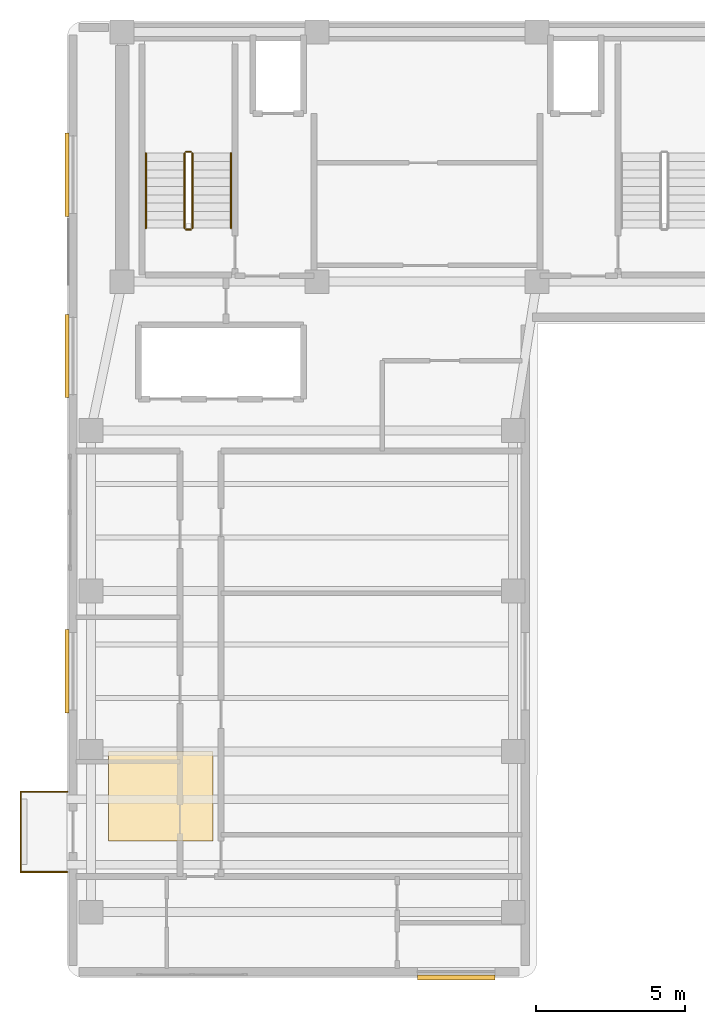
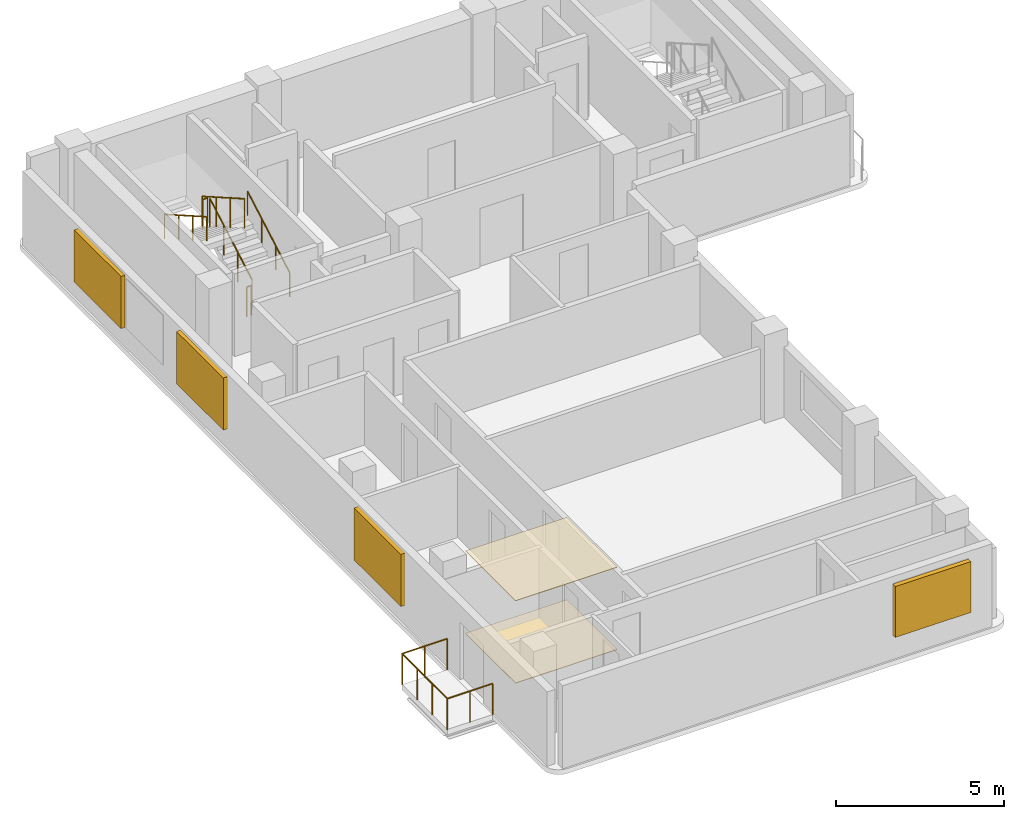
# One storey, part 10 of 11: 9 railings, 4 shading devices, 2 coverings.
"""IFC4 building model written with IfcOpenShell, lengths in metres."""

import ifcopenshell
import ifcopenshell.guid

model = None  # the IFC model being written
_history = None  # IfcOwnerHistory: only IFC2X3 demands one
_inside = {}  # id of a spatial element -> (the spatial element, [elements in it])
_under = {}  # id of a project, library or spatial element -> (it, [spatial elements below it])
_declared = {}  # id of a project -> (the project, [libraries it declares])
_typed = {}  # id of a type object -> (the type object, [elements of that type])
_made_of = {}  # id of a material, layer set ... -> (it, [elements and type objects made of it])


def new_model(schema):
    """Start an empty IFC model of exactly this schema.

    Asked for "IFC4X3", IfcOpenShell would pick the latest addendum, in which some entities
    have other attributes; the version numbers below select the first issue.
    IFC2X3 requires an IfcOwnerHistory on every rooted entity: one is made here for all.
    """
    global model, _history
    if schema == "IFC4X3":
        model = ifcopenshell.file(schema_version=(4, 3, 0, 0))
    else:
        model = ifcopenshell.file(schema=schema)
    _inside.clear()
    _under.clear()
    _declared.clear()
    _typed.clear()
    _made_of.clear()
    _history = None
    if model.schema == "IFC2X3":
        org = make("IfcOrganization", Name="unknown")
        user = make(
            "IfcPersonAndOrganization",
            ThePerson=make("IfcPerson", FamilyName="unknown"),
            TheOrganization=org,
        )
        app = make(
            "IfcApplication",
            ApplicationDeveloper=org,
            Version="unknown",
            ApplicationFullName="unknown",
            ApplicationIdentifier="unknown",
        )
        _history = make(
            "IfcOwnerHistory",
            OwningUser=user,
            OwningApplication=app,
            ChangeAction="ADDED",
            CreationDate=0,
        )
    return model


def make(cls, **values):
    """One entity of the class cls with the attributes given. An attribute that is None is left unset."""
    return model.create_entity(
        cls, **{name: value for name, value in values.items() if value is not None}
    )


def rooted(cls, **values):
    """An entity with a GlobalId (a new one), such as an element, a storey or a relation."""
    return make(cls, GlobalId=ifcopenshell.guid.new(), OwnerHistory=_history, **values)


def si_unit(unit_type, name, prefix=None):
    """IfcSIUnit, for example si_unit("LENGTHUNIT", "METRE", prefix="MILLI")."""
    return make("IfcSIUnit", UnitType=unit_type, Prefix=prefix, Name=name)


def assignment(units):
    """IfcUnitAssignment: the units of a project."""
    return None if units is None else make("IfcUnitAssignment", Units=units)


def point(xyz):
    """IfcCartesianPoint."""
    return None if xyz is None else make("IfcCartesianPoint", Coordinates=xyz)


def direction(xyz):
    """IfcDirection."""
    return None if xyz is None else make("IfcDirection", DirectionRatios=xyz)


def frame(location, z_axis=None, x_axis=None):
    """IfcAxis2Placement3D, a coordinate frame: its origin and axes. An axis left out is left unset."""
    return make(
        "IfcAxis2Placement3D",
        Location=point(location),
        Axis=direction(z_axis),
        RefDirection=direction(x_axis),
    )


def frame_2d(location, x_axis=None):
    """IfcAxis2Placement2D, a coordinate frame in the plane: its origin and x axis."""
    return make(
        "IfcAxis2Placement2D", Location=point(location), RefDirection=direction(x_axis)
    )


def origin():
    """The frame at (0, 0, 0) with its axes left unset."""
    return frame((0.0, 0.0, 0.0))


def origin_2d():
    """The frame at (0, 0) in the plane with its x axis left unset."""
    return frame_2d((0.0, 0.0))


def place(relative_to, where):
    """IfcLocalPlacement: puts the frame where relative to a parent placement (None: the world)."""
    return make(
        "IfcLocalPlacement", PlacementRelTo=relative_to, RelativePlacement=where
    )


def context(
    kind, dimensions, precision=None, world=None, true_north=None, identifier=None
):
    """IfcGeometricRepresentationContext, for example the 3D "Model" context."""
    return make(
        "IfcGeometricRepresentationContext",
        ContextIdentifier=identifier,
        ContextType=kind,
        CoordinateSpaceDimension=dimensions,
        Precision=precision,
        WorldCoordinateSystem=world,
        TrueNorth=true_north,
    )


def subcontext(parent, identifier, kind, view, scale=None):
    """IfcGeometricRepresentationSubContext, for example "Body" below "Model"."""
    return make(
        "IfcGeometricRepresentationSubContext",
        ContextIdentifier=identifier,
        ContextType=kind,
        ParentContext=parent,
        TargetScale=scale,
        TargetView=view,
    )


def project(units=None, contexts=None):
    """IfcProject with its units and contexts."""
    return rooted(
        "IfcProject",
        Name="project",
        RepresentationContexts=contexts,
        UnitsInContext=assignment(units),
    )


def spatial(cls, under=None, at=None, **own):
    """A site, building, storey or space (cls), placed at a placement, below another one or the project."""
    s = rooted(cls, ObjectPlacement=at, **own)
    if under is not None:
        _under.setdefault(under.id(), (under, []))[1].append(s)
    return s


def polyline(points):
    """IfcPolyline through the points."""
    return make("IfcPolyline", Points=[point(p) for p in points])


def profile(cls, at=None, kind="AREA", **sizes):
    """A parametric profile (cls). Its sizes go by their IFC names, for example OverallWidth=200.0."""
    return make(cls, ProfileType=kind, Position=at, **sizes)


def rectangle(**sizes):
    """IfcRectangleProfileDef."""
    return profile("IfcRectangleProfileDef", **sizes)


def circle(**sizes):
    """IfcCircleProfileDef."""
    return profile("IfcCircleProfileDef", **sizes)


def outline(outer, holes=None, kind="AREA"):
    """IfcArbitraryClosedProfileDef: a profile drawn as a closed curve; with holes, ...WithVoids."""
    if holes is None:
        return make("IfcArbitraryClosedProfileDef", ProfileType=kind, OuterCurve=outer)
    return make(
        "IfcArbitraryProfileDefWithVoids",
        ProfileType=kind,
        OuterCurve=outer,
        InnerCurves=holes,
    )


def extrude(swept, where, along, depth):
    """IfcExtrudedAreaSolid: the profile swept, set in the frame where, extruded along a direction by depth."""
    return make(
        "IfcExtrudedAreaSolid",
        SweptArea=swept,
        Position=where,
        ExtrudedDirection=direction(along),
        Depth=depth,
    )


def shape(context_of_items, identifier, shape_type, items):
    """IfcShapeRepresentation: the items that make up one representation, for example the "Body"."""
    return make(
        "IfcShapeRepresentation",
        ContextOfItems=context_of_items,
        RepresentationIdentifier=identifier,
        RepresentationType=shape_type,
        Items=items,
    )


def material(Name=None, Category=None):
    """IfcMaterial."""
    return make("IfcMaterial", Name=Name, Category=Category)


def layer(
    of_material, thickness, ventilated=None, Name=None, Category=None, Priority=None
):
    """IfcMaterialLayer: one layer of a wall or slab, of a material (None: an air gap)."""
    return make(
        "IfcMaterialLayer",
        Material=of_material,
        LayerThickness=thickness,
        IsVentilated=ventilated,
        Name=Name,
        Category=Category,
        Priority=Priority,
    )


def layer_set(layers, Name=None):
    """IfcMaterialLayerSet."""
    return make("IfcMaterialLayerSet", MaterialLayers=layers, LayerSetName=Name)


def made_of(thing, what):
    """Note that an element or type object is made of a material, layer set ...; save() writes the relation."""
    if what is not None:
        _made_of.setdefault(what.id(), (what, []))[1].append(thing)
    return thing


def type_object(cls, material=None, **own):
    """A type object (cls), such as IfcWallType, which elements share."""
    return made_of(rooted(cls, **own), material)


def element(
    cls,
    number,
    at=None,
    inside=None,
    cuts=None,
    type_object=None,
    material=None,
    context=None,
    identifier="Body",
    shape_type=None,
    held_by="IfcProductDefinitionShape",
    body=None,
    shapes=None,
    **own,
):
    """One element of the class cls, such as IfcWall. Its Tag is "e" and its number.

    at: its placement. inside: the storey or other place that contains it. cuts: it is an
    opening in that element (IfcRelVoidsElement). A single representation is given by context,
    identifier, shape_type and body (its items); several are given by shapes. held_by: the class
    of the entity that holds the representations. save() writes the other relations.
    """
    e = rooted(cls, Tag="e%d" % number, ObjectPlacement=at, **own)
    if body is not None:
        shapes = [shape(context, identifier, shape_type, body)]
    if shapes is not None:
        e.Representation = make(held_by, Representations=shapes)
    if inside is not None:
        _inside.setdefault(inside.id(), (inside, []))[1].append(e)
    if cuts is not None:
        rooted(
            "IfcRelVoidsElement", RelatingBuildingElement=cuts, RelatedOpeningElement=e
        )
    if type_object is not None:
        _typed.setdefault(type_object.id(), (type_object, []))[1].append(e)
    return made_of(e, material)


def aggregate(whole, parts):
    """IfcRelAggregates: a whole, such as a stair, and the parts it consists of."""
    return rooted("IfcRelAggregates", RelatingObject=whole, RelatedObjects=parts)


def save(model, path):
    """Write the relations noted so far, then the file.

    IfcRelAggregates (storeys below a building ...), IfcRelContainedInSpatialStructure (elements
    in a storey), IfcRelDefinesByType, IfcRelAssociatesMaterial and IfcRelDeclares: one each for
    every whole, place, type object, material and project.
    """
    for whole, parts in _under.values():
        aggregate(whole, parts)
    for where, things in _inside.values():
        rooted(
            "IfcRelContainedInSpatialStructure",
            RelatedElements=things,
            RelatingStructure=where,
        )
    for kind, things in _typed.values():
        rooted("IfcRelDefinesByType", RelatedObjects=things, RelatingType=kind)
    for what, things in _made_of.values():
        rooted("IfcRelAssociatesMaterial", RelatedObjects=things, RelatingMaterial=what)
    for by, libraries in _declared.values():
        rooted("IfcRelDeclares", RelatingContext=by, RelatedDefinitions=libraries)
    model.write(path)


model = new_model("IFC4")

# Units and contexts
model_context = context("Model", 3, precision=1e-05, world=origin(), true_north=direction((0.0, 1.0)))
body_context = subcontext(model_context, "Body", "Model", "MODEL_VIEW")
ifc_project = project(units=[si_unit("LENGTHUNIT", "METRE"), si_unit("AREAUNIT", "SQUARE_METRE"), si_unit("VOLUMEUNIT", "CUBIC_METRE"), si_unit("PLANEANGLEUNIT", "RADIAN"), si_unit("MASSUNIT", "GRAM", prefix="KILO")], contexts=[model_context])

# Site, building, storey
site_placement = place(None, origin())
site = spatial("IfcSite", under=ifc_project, at=site_placement, CompositionType="ELEMENT")
building_placement = place(site_placement, origin())
building = spatial("IfcBuilding", under=site, at=building_placement, Name="Kuzgunbayir Cultural Tower", CompositionType="ELEMENT")
storey_placement = place(building_placement, frame((0.0, 0.0, 244.0)))
storey = spatial("IfcBuildingStorey", under=building, at=storey_placement, Name="L72", CompositionType="ELEMENT", Elevation=244.0)

# Coverings
ifc_material_1 = material(Name="Perforated Gypsum Acoustic Tile", Category="gypsum")
ifc_layer_1 = layer(ifc_material_1, 0.02490234375)
ifc_layer_set_1 = layer_set([ifc_layer_1], Name="Perforated Gypsum Acoustic Tile")
covering_type_1 = type_object("IfcCoveringType", Name="COV-CEIL-ACOUSTIC", PredefinedType="CEILING", material=ifc_layer_set_1)
covering_1_placement = place(storey_placement, frame((0.0, 0.0, 3.0)))
element("IfcCovering", 1, at=covering_1_placement, inside=storey, type_object=covering_type_1, Name="L72 Acoustic Soffit Ceiling", PredefinedType="CEILING", context=body_context, shape_type="SweptSolid", body=[
    extrude(outline(polyline([(6.0, 15.0), (9.5, 15.0), (9.5, 18.0), (6.0, 18.0), (6.0, 15.0)])), origin(), (0.0, 0.0, 1.0), 0.02001953125),
])
ifc_material_2 = material(Name="Engineered Anatolian Oak Parquet", Category="wood")
ifc_layer_2 = layer(ifc_material_2, 0.02197265625)
ifc_layer_set_2 = layer_set([ifc_layer_2], Name="Engineered Anatolian Oak Parquet")
covering_type_2 = type_object("IfcCoveringType", Name="COV-FLOOR-OAK", PredefinedType="FLOORING", material=ifc_layer_set_2)
covering_2_placement = place(storey_placement, origin())
element("IfcCovering", 2, at=covering_2_placement, inside=storey, type_object=covering_type_2, Name="L72 Acoustic Floor Finish", PredefinedType="FLOORING", context=body_context, shape_type="SweptSolid", body=[
    extrude(outline(polyline([(6.0, 15.0), (9.5, 15.0), (9.5, 18.0), (6.0, 18.0), (6.0, 15.0)])), origin(), (0.0, 0.0, 1.0), 0.02001953125),
])

# Railings
ifc_material_3 = material(Name="Laminated Glass and Stainless Steel", Category="steel")
ifc_layer_3 = layer(ifc_material_3, 0.080078125)
ifc_layer_set_3 = layer_set([ifc_layer_3], Name="Laminated Glass and Stainless Steel")
railing_type_1 = type_object("IfcRailingType", Name="RLG-BAL-115", PredefinedType="BALUSTRADE", material=ifc_layer_set_3)
railing_1_placement = place(storey_placement, frame((4.60009765625, 13.949951171875, 0.0)))
element("IfcRailing", 3, at=railing_1_placement, inside=storey, type_object=railing_type_1, Name="L72 Balcony Guard BAL-L72-WA1 Segment 1", PredefinedType="BALUSTRADE", context=body_context, shape_type="SweptSolid", body=[
    extrude(circle(Radius=0.02392578125, at=origin_2d()), frame((0.0, 0.0, 1.1259765625), z_axis=(-1.0, 0.0, 0.0), x_axis=(0.0, -1.0, 0.0)), (0.0, 0.0, 1.0), 1.56005859375),
    extrude(circle(Radius=0.02099609375, at=origin_2d()), origin(), (0.0, 0.0, 1.0), 1.101806640625),
    extrude(circle(Radius=0.02099609375, at=origin_2d()), frame((-0.780029296875, 0.0, 0.0)), (0.0, 0.0, 1.0), 1.101806640625),
    extrude(circle(Radius=0.02099609375, at=origin_2d()), frame((-1.56005859375, 0.0, 0.0)), (0.0, 0.0, 1.0), 1.101806640625),
])
railing_2_placement = place(storey_placement, frame((3.0400390625, 13.949951171875, 0.0)))
element("IfcRailing", 4, at=railing_2_placement, inside=storey, type_object=railing_type_1, Name="L72 Balcony Guard BAL-L72-WA1 Segment 2", PredefinedType="BALUSTRADE", context=body_context, shape_type="SweptSolid", body=[
    extrude(circle(Radius=0.02392578125, at=origin_2d()), frame((0.0, 0.0, 1.1259765625), z_axis=(0.0, 1.0, 0.0), x_axis=(-1.0, 0.0, 0.0)), (0.0, 0.0, 1.0), 2.699951171875),
    extrude(circle(Radius=0.02099609375, at=origin_2d()), origin(), (0.0, 0.0, 1.0), 1.101806640625),
    extrude(circle(Radius=0.02099609375, at=origin_2d()), frame((0.0, 0.89990234375, 0.0)), (0.0, 0.0, 1.0), 1.101806640625),
    extrude(circle(Radius=0.02099609375, at=origin_2d()), frame((0.0, 1.800048828125, 0.0)), (0.0, 0.0, 1.0), 1.101806640625),
    extrude(circle(Radius=0.02099609375, at=origin_2d()), frame((0.0, 2.699951171875, 0.0)), (0.0, 0.0, 1.0), 1.101806640625),
])
railing_3_placement = place(storey_placement, frame((3.0400390625, 16.64990234375, 0.0)))
element("IfcRailing", 5, at=railing_3_placement, inside=storey, type_object=railing_type_1, Name="L72 Balcony Guard BAL-L72-WA1 Segment 3", PredefinedType="BALUSTRADE", context=body_context, shape_type="SweptSolid", body=[
    extrude(circle(Radius=0.02392578125, at=origin_2d()), frame((0.0, 0.0, 1.1259765625), z_axis=(1.0, 0.0, 0.0), x_axis=(0.0, 1.0, 0.0)), (0.0, 0.0, 1.0), 1.56005859375),
    extrude(circle(Radius=0.02099609375, at=origin_2d()), origin(), (0.0, 0.0, 1.0), 1.101806640625),
    extrude(circle(Radius=0.02099609375, at=origin_2d()), frame((0.780029296875, 0.0, 0.0)), (0.0, 0.0, 1.0), 1.101806640625),
    extrude(circle(Radius=0.02099609375, at=origin_2d()), frame((1.56005859375, 0.0, 0.0)), (0.0, 0.0, 1.0), 1.101806640625),
])
ifc_material_4 = material(Name="Brushed Stainless Steel", Category="steel")
ifc_layer_4 = layer(ifc_material_4, 0.050048828125)
ifc_layer_set_4 = layer_set([ifc_layer_4], Name="Brushed Stainless Steel")
railing_type_2 = type_object("IfcRailingType", Name="RLG-STAIR-HANDRAIL", PredefinedType="HANDRAIL", material=ifc_layer_set_4)
railing_4_placement = place(storey_placement, frame((10.110107421875, 35.60009765625, 0.159912109375)))
element("IfcRailing", 6, at=railing_4_placement, inside=storey, type_object=railing_type_2, Name="L72 ST-1 stair handrail 1", PredefinedType="HANDRAIL", context=body_context, shape_type="SweptSolid", body=[
    extrude(circle(Radius=0.02392578125, at=origin_2d()), frame((0.0, 0.0, 0.8759765625), z_axis=(0.0, 0.868217259934, 0.496184229447), x_axis=(-1.0, 0.0, 0.0)), (0.0, 0.0, 1.0), 2.902587890625),
    extrude(circle(Radius=0.02099609375, at=origin_2d()), origin(), (0.0, 0.0, 1.0), 0.851806640625),
    extrude(circle(Radius=0.02099609375, at=origin_2d()), frame((0.0, 0.840087890625, 0.47998046875)), (0.0, 0.0, 1.0), 0.851806640625),
    extrude(circle(Radius=0.02099609375, at=origin_2d()), frame((0.0, 1.679931640625, 0.960205078125)), (0.0, 0.0, 1.0), 0.851806640625),
    extrude(circle(Radius=0.02099609375, at=origin_2d()), frame((0.0, 2.52001953125, 1.440185546875)), (0.0, 0.0, 1.0), 0.851806640625),
])
railing_5_placement = place(storey_placement, frame((7.25, 38.1201171875, 1.760009765625)))
element("IfcRailing", 7, at=railing_5_placement, inside=storey, type_object=railing_type_2, Name="L72 ST-1 stair handrail 2", PredefinedType="HANDRAIL", context=body_context, shape_type="SweptSolid", body=[
    extrude(circle(Radius=0.02392578125, at=origin_2d()), frame((0.0, 0.0, 0.8759765625), z_axis=(0.0, -0.868253494771, 0.496120820787), x_axis=(1.0, 0.0, 0.0)), (0.0, 0.0, 1.0), 2.90234375),
    extrude(circle(Radius=0.02099609375, at=origin_2d()), origin(), (0.0, 0.0, 1.0), 0.851806640625),
    extrude(circle(Radius=0.02099609375, at=origin_2d()), frame((0.0, -0.840087890625, 0.47998046875)), (0.0, 0.0, 1.0), 0.851806640625),
    extrude(circle(Radius=0.02099609375, at=origin_2d()), frame((0.0, -1.679931640625, 0.9599609375)), (0.0, 0.0, 1.0), 0.851806640625),
    extrude(circle(Radius=0.02099609375, at=origin_2d()), frame((0.0, -2.52001953125, 1.43994140625)), (0.0, 0.0, 1.0), 0.851806640625),
])
ifc_material_5 = material(Name="Painted Steel Balustrade", Category="steel")
ifc_layer_5 = layer(ifc_material_5, 0.06005859375)
ifc_layer_set_5 = layer_set([ifc_layer_5], Name="Painted Steel Balustrade")
railing_type_3 = type_object("IfcRailingType", Name="RLG-WELL-GUARD", PredefinedType="GUARDRAIL", material=ifc_layer_set_5)
railing_6_placement = place(storey_placement, frame((8.81005859375, 35.60009765625, 0.159912109375)))
element("IfcRailing", 8, at=railing_6_placement, inside=storey, type_object=railing_type_3, Name="L72 ST-1 stair guard 1", PredefinedType="GUARDRAIL", context=body_context, shape_type="SweptSolid", body=[
    extrude(circle(Radius=0.02392578125, at=origin_2d()), frame((0.0, 0.0, 1.076171875), z_axis=(0.0, 0.868217259934, 0.496184229447), x_axis=(-1.0, 0.0, 0.0)), (0.0, 0.0, 1.0), 2.902587890625),
    extrude(circle(Radius=0.02099609375, at=origin_2d()), origin(), (0.0, 0.0, 1.0), 1.052001953125),
    extrude(circle(Radius=0.02099609375, at=origin_2d()), frame((0.0, 0.840087890625, 0.47998046875)), (0.0, 0.0, 1.0), 1.052001953125),
    extrude(circle(Radius=0.02099609375, at=origin_2d()), frame((0.0, 1.679931640625, 0.960205078125)), (0.0, 0.0, 1.0), 1.052001953125),
    extrude(circle(Radius=0.02099609375, at=origin_2d()), frame((0.0, 2.52001953125, 1.440185546875)), (0.0, 0.0, 1.0), 1.052001953125),
])
railing_7_placement = place(storey_placement, frame((8.760009765625, 38.169921875, 1.60009765625)))
element("IfcRailing", 9, at=railing_7_placement, inside=storey, type_object=railing_type_3, Name="L72 ST-1 stair guard 2", PredefinedType="GUARDRAIL", context=body_context, shape_type="SweptSolid", body=[
    extrude(circle(Radius=0.02392578125, at=origin_2d()), frame((0.0, 0.0, 1.076171875), z_axis=(-1.0, 0.0, 0.0), x_axis=(0.0, -1.0, 0.0)), (0.0, 0.0, 1.0), 0.159912109375),
    extrude(circle(Radius=0.02099609375, at=origin_2d()), origin(), (0.0, 0.0, 1.0), 1.052001953125),
    extrude(circle(Radius=0.02099609375, at=origin_2d()), frame((-0.159912109375, 0.0, 0.0)), (0.0, 0.0, 1.0), 1.052001953125),
])
railing_8_placement = place(storey_placement, frame((8.550048828125, 38.1201171875, 1.760009765625)))
element("IfcRailing", 10, at=railing_8_placement, inside=storey, type_object=railing_type_3, Name="L72 ST-1 stair guard 3", PredefinedType="GUARDRAIL", context=body_context, shape_type="SweptSolid", body=[
    extrude(circle(Radius=0.02392578125, at=origin_2d()), frame((0.0, 0.0, 1.076171875), z_axis=(0.0, -0.868253494771, 0.496120820787), x_axis=(1.0, 0.0, 0.0)), (0.0, 0.0, 1.0), 2.90234375),
    extrude(circle(Radius=0.02099609375, at=origin_2d()), origin(), (0.0, 0.0, 1.0), 1.052001953125),
    extrude(circle(Radius=0.02099609375, at=origin_2d()), frame((0.0, -0.840087890625, 0.47998046875)), (0.0, 0.0, 1.0), 1.052001953125),
    extrude(circle(Radius=0.02099609375, at=origin_2d()), frame((0.0, -1.679931640625, 0.9599609375)), (0.0, 0.0, 1.0), 1.052001953125),
    extrude(circle(Radius=0.02099609375, at=origin_2d()), frame((0.0, -2.52001953125, 1.43994140625)), (0.0, 0.0, 1.0), 1.052001953125),
])
railing_9_placement = place(storey_placement, frame((8.760009765625, 35.550048828125, 0.0)))
element("IfcRailing", 11, at=railing_9_placement, inside=storey, type_object=railing_type_3, Name="L72 ST-1 stair guard 4", PredefinedType="GUARDRAIL", context=body_context, shape_type="SweptSolid", body=[
    extrude(circle(Radius=0.02392578125, at=origin_2d()), frame((0.0, 0.0, 1.076171875), z_axis=(-1.0, 0.0, 0.0), x_axis=(0.0, -1.0, 0.0)), (0.0, 0.0, 1.0), 0.159912109375),
    extrude(circle(Radius=0.02099609375, at=origin_2d()), origin(), (0.0, 0.0, 1.0), 1.052001953125),
    extrude(circle(Radius=0.02099609375, at=origin_2d()), frame((-0.159912109375, 0.0, 0.0)), (0.0, 0.0, 1.0), 1.052001953125),
])

# Shading devices
ifc_material_6 = material(Name="Perforated Bronze-Anodised Aluminium", Category="aluminium")
shading_device_type_1 = type_object("IfcShadingDeviceType", Name="SHD-SOLAR-BRONZE", PredefinedType="JALOUSIE", material=ifc_material_6)
for number, where, z_axis, x_axis, name in (
    (12, (4.60009765625, 20.699951171875, 0.7099609375), (0.0, 0.0, 1.0), (1.0, 0.0, 0.0), "L72 Perforated Bronze Solar Screen WAW2"),
    (13, (4.60009765625, 31.300048828125, 0.7099609375), (0.0, 0.0, 1.0), (1.0, 0.0, 0.0), "L72 Perforated Bronze Solar Screen WAW3"),
    (14, (4.60009765625, 37.39990234375, 0.7099609375), (0.0, 0.0, 1.0), (1.0, 0.0, 0.0), "L72 Perforated Bronze Solar Screen WAW4"),
):
    element("IfcShadingDevice", number, at=place(storey_placement, frame(where, z_axis=z_axis, x_axis=x_axis)), inside=storey, type_object=shading_device_type_1, Name=name, PredefinedType="JALOUSIE", context=body_context, shape_type="SweptSolid", body=[
        extrude(rectangle(XDim=0.139892578125, YDim=2.800048828125, at=origin_2d()), origin(), (0.0, 0.0, 1.0), 1.89990234375),
    ])
ifc_material_7 = material(Name="Warm Terracotta Ceramic Baguette", Category="masonry")
shading_device_type_2 = type_object("IfcShadingDeviceType", Name="SHD-SOLAR-CERAMIC", PredefinedType="SHUTTER", material=ifc_material_7)
shading_device_placement = place(storey_placement, frame((17.679931640625, 10.39990234375, 0.885009765625), z_axis=(0.0, 0.0, 1.0), x_axis=(1.0, 0.0, 0.0)))
element("IfcShadingDevice", 15, at=shading_device_placement, inside=storey, type_object=shading_device_type_2, Name="L72 Solar Screen WAS1", PredefinedType="SHUTTER", context=body_context, shape_type="SweptSolid", body=[
    extrude(rectangle(XDim=2.60009765625, YDim=0.159912109375, at=origin_2d()), origin(), (0.0, 0.0, 1.0), 1.85009765625),
])

save(model, "model.ifc")
